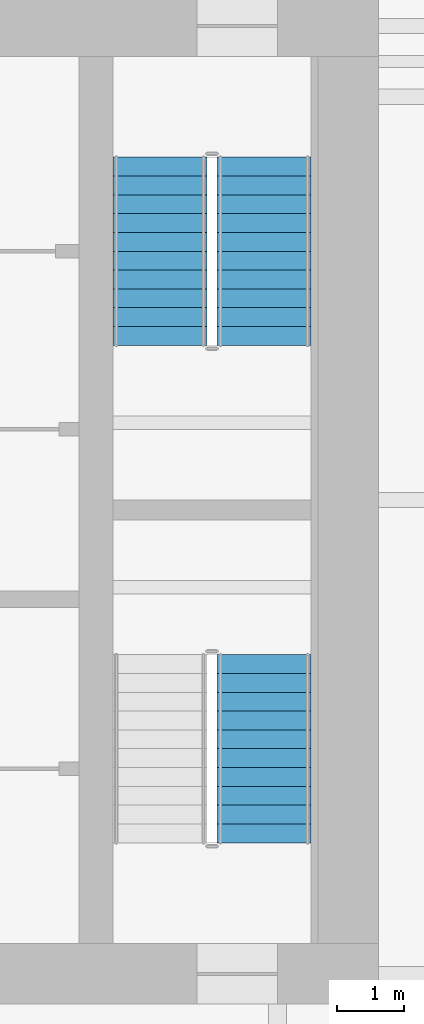
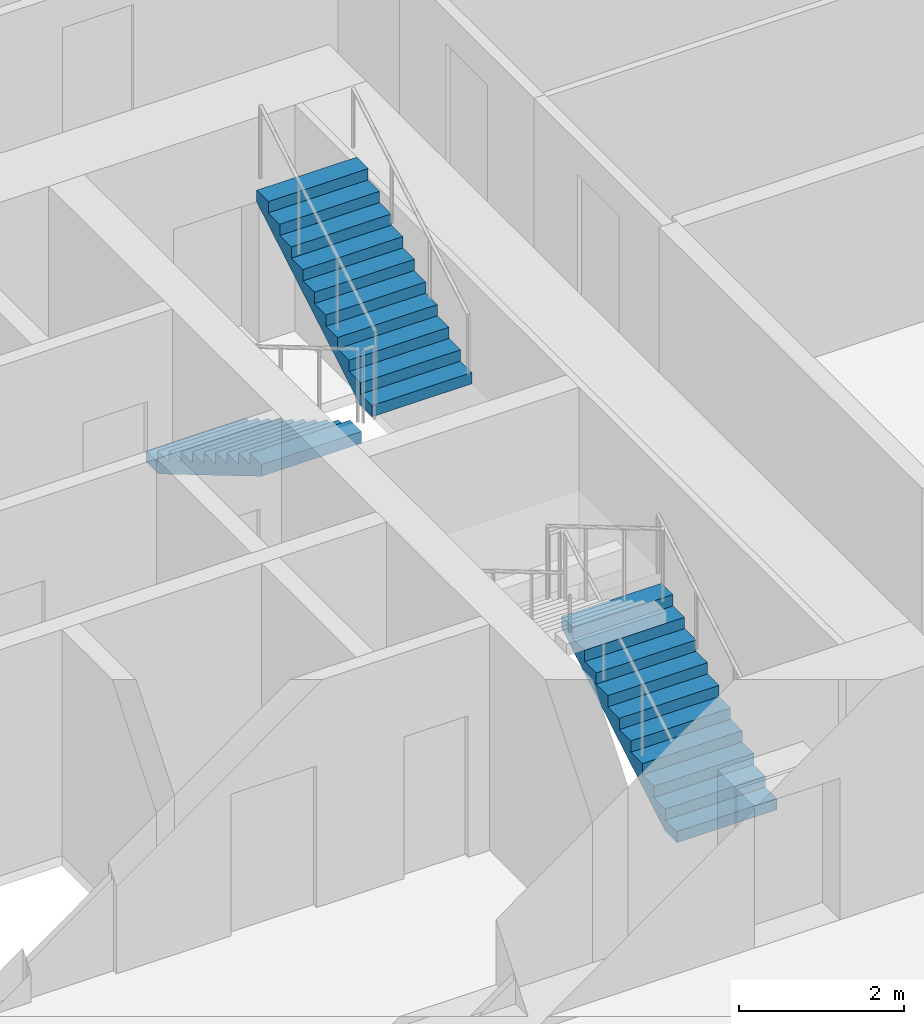
# One storey, part 26 of 31: 3 stair flights, 2 elements without a shape of their own.
"""IFC4 building model written with IfcOpenShell, lengths in metres."""

from ifc_helpers import new_model, si_unit, direction, frame, origin, place, context, subcontext, project, spatial, polyline, outline, extrude, material, type_object, element, aggregate, save


model = new_model("IFC4")

# Units and contexts
model_context = context("Model", 3, precision=1e-05, world=origin(), true_north=direction((0.0, 1.0)))
body_context = subcontext(model_context, "Body", "Model", "MODEL_VIEW")
ifc_project = project(units=[si_unit("LENGTHUNIT", "METRE"), si_unit("AREAUNIT", "SQUARE_METRE"), si_unit("VOLUMEUNIT", "CUBIC_METRE"), si_unit("PLANEANGLEUNIT", "RADIAN"), si_unit("MASSUNIT", "GRAM", prefix="KILO")], contexts=[model_context])

# Site, building, storey
site_placement = place(None, origin())
site = spatial("IfcSite", under=ifc_project, at=site_placement, CompositionType="ELEMENT")
building_placement = place(site_placement, origin())
building = spatial("IfcBuilding", under=site, at=building_placement, Name="Isthmus Gate Tower", CompositionType="ELEMENT")
storey_placement = place(building_placement, frame((0.0, 0.0, 113.5)))
storey = spatial("IfcBuildingStorey", under=building, at=storey_placement, Name="L27", CompositionType="ELEMENT", Elevation=113.5)

# Stair, stair flights
ifc_material_1 = material(Name="Concrete f'c 40 MPa", Category="concrete")
stair_type = type_object("IfcStairType", Name="CORE STAIR 22 RISERS", PredefinedType="HALF_TURN_STAIR", material=ifc_material_1)
stair_1_placement = place(storey_placement, origin())
stair_1 = element("IfcStair", 1, at=stair_1_placement, inside=storey, type_object=stair_type, Name="L27 Exit Stair 2", PredefinedType="HALF_TURN_STAIR")
ifc_material_2 = material(Name="Concrete f'c 40 MPa", Category="concrete")
stair_flight_type = type_object("IfcStairFlightType", Name="STAIR FLIGHT RC 1400", PredefinedType="STRAIGHT", material=ifc_material_2)
stair_flight_1_placement = place(storey_placement, frame((11.75, 12.60009765625, 0.0), z_axis=(0.0, 0.0, 1.0), x_axis=(0.0, -1.0, 0.0)))
stair_flight_1 = element("IfcStairFlight", 2, at=stair_flight_1_placement, type_object=stair_flight_type, Name="ST2 flight 1", NumberOfRisers=11, NumberOfTreads=10, PredefinedType="STRAIGHT", RiserHeight=0.165909091, TreadLength=0.28, context=body_context, shape_type="SweptSolid", body=[
    extrude(outline(polyline([(0.0, 0.0), (0.0, 0.166015625), (0.280029296875, 0.166015625), (0.280029296875, 0.331787109375), (0.56005859375, 0.331787109375), (0.56005859375, 0.497802734375), (0.840087890625, 0.497802734375), (0.840087890625, 0.66357421875), (1.1201171875, 0.66357421875), (1.1201171875, 0.82958984375), (1.39990234375, 0.82958984375), (1.39990234375, 0.995361328125), (1.679931640625, 0.995361328125), (1.679931640625, 1.161376953125), (1.9599609375, 1.161376953125), (1.9599609375, 1.327392578125), (2.239990234375, 1.327392578125), (2.239990234375, 1.4931640625), (2.52001953125, 1.4931640625), (2.52001953125, 1.6591796875), (2.800048828125, 1.6591796875), (2.800048828125, 1.824951171875), (2.800048828125, 1.48486328125), (0.2939453125, 0.0), (0.0, 0.0)])), frame((0.0, 0.699951171875, 0.0), z_axis=(0.0, -1.0, 0.0), x_axis=(1.0, 0.0, 0.0)), (0.0, 0.0, 1.0), 1.39990234375),
])
stair_flight_2_placement = place(storey_placement, frame((13.300048828125, 9.800048828125, 1.824951171875), z_axis=(0.0, 0.0, 1.0), x_axis=(0.0, 1.0, 0.0)))
stair_flight_2 = element("IfcStairFlight", 3, at=stair_flight_2_placement, type_object=stair_flight_type, Name="ST2 flight 2", NumberOfRisers=11, NumberOfTreads=10, PredefinedType="STRAIGHT", RiserHeight=0.165909091, TreadLength=0.28, context=body_context, shape_type="SweptSolid", body=[
    extrude(outline(polyline([(0.0, 0.0), (0.0, 0.166015625), (0.280029296875, 0.166015625), (0.280029296875, 0.331787109375), (0.56005859375, 0.331787109375), (0.56005859375, 0.497802734375), (0.840087890625, 0.497802734375), (0.840087890625, 0.66357421875), (1.1201171875, 0.66357421875), (1.1201171875, 0.82958984375), (1.39990234375, 0.82958984375), (1.39990234375, 0.995361328125), (1.679931640625, 0.995361328125), (1.679931640625, 1.161376953125), (1.9599609375, 1.161376953125), (1.9599609375, 1.327392578125), (2.239990234375, 1.327392578125), (2.239990234375, 1.4931640625), (2.52001953125, 1.4931640625), (2.52001953125, 1.6591796875), (2.800048828125, 1.6591796875), (2.800048828125, 1.824951171875), (2.800048828125, 1.48486328125), (0.2939453125, 0.0), (0.0, 0.0)])), frame((0.0, 0.699951171875, 0.0), z_axis=(0.0, -1.0, 0.0), x_axis=(1.0, 0.0, 0.0)), (0.0, 0.0, 1.0), 1.39990234375),
])
aggregate(stair_1, [stair_flight_1, stair_flight_2])

# Stair, stair flight
stair_2_placement = place(storey_placement, origin())
stair_2 = element("IfcStair", 4, at=stair_2_placement, inside=storey, type_object=stair_type, Name="L27 Exit Stair 8", PredefinedType="HALF_TURN_STAIR")
stair_flight_3_placement = place(storey_placement, frame((13.300048828125, 2.39990234375, 0.0), z_axis=(0.0, 0.0, 1.0), x_axis=(0.0, 1.0, 0.0)))
stair_flight_3 = element("IfcStairFlight", 5, at=stair_flight_3_placement, type_object=stair_flight_type, Name="ST8 flight 1", NumberOfRisers=11, NumberOfTreads=10, PredefinedType="STRAIGHT", RiserHeight=0.165909091, TreadLength=0.28, context=body_context, shape_type="SweptSolid", body=[
    extrude(outline(polyline([(0.0, 0.0), (0.0, 0.166015625), (0.280029296875, 0.166015625), (0.280029296875, 0.331787109375), (0.56005859375, 0.331787109375), (0.56005859375, 0.497802734375), (0.840087890625, 0.497802734375), (0.840087890625, 0.66357421875), (1.1201171875, 0.66357421875), (1.1201171875, 0.82958984375), (1.39990234375, 0.82958984375), (1.39990234375, 0.995361328125), (1.679931640625, 0.995361328125), (1.679931640625, 1.161376953125), (1.9599609375, 1.161376953125), (1.9599609375, 1.327392578125), (2.239990234375, 1.327392578125), (2.239990234375, 1.4931640625), (2.52001953125, 1.4931640625), (2.52001953125, 1.6591796875), (2.800048828125, 1.6591796875), (2.800048828125, 1.824951171875), (2.800048828125, 1.48486328125), (0.2939453125, 0.0), (0.0, 0.0)])), frame((0.0, 0.699951171875, 0.0), z_axis=(0.0, -1.0, 0.0), x_axis=(1.0, 0.0, 0.0)), (0.0, 0.0, 1.0), 1.39990234375),
])
aggregate(stair_2, [stair_flight_3])

save(model, "model.ifc")
